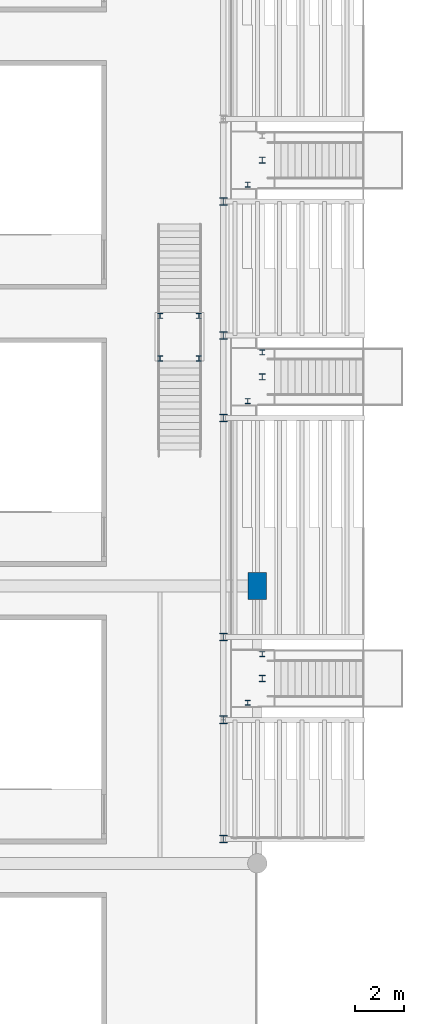
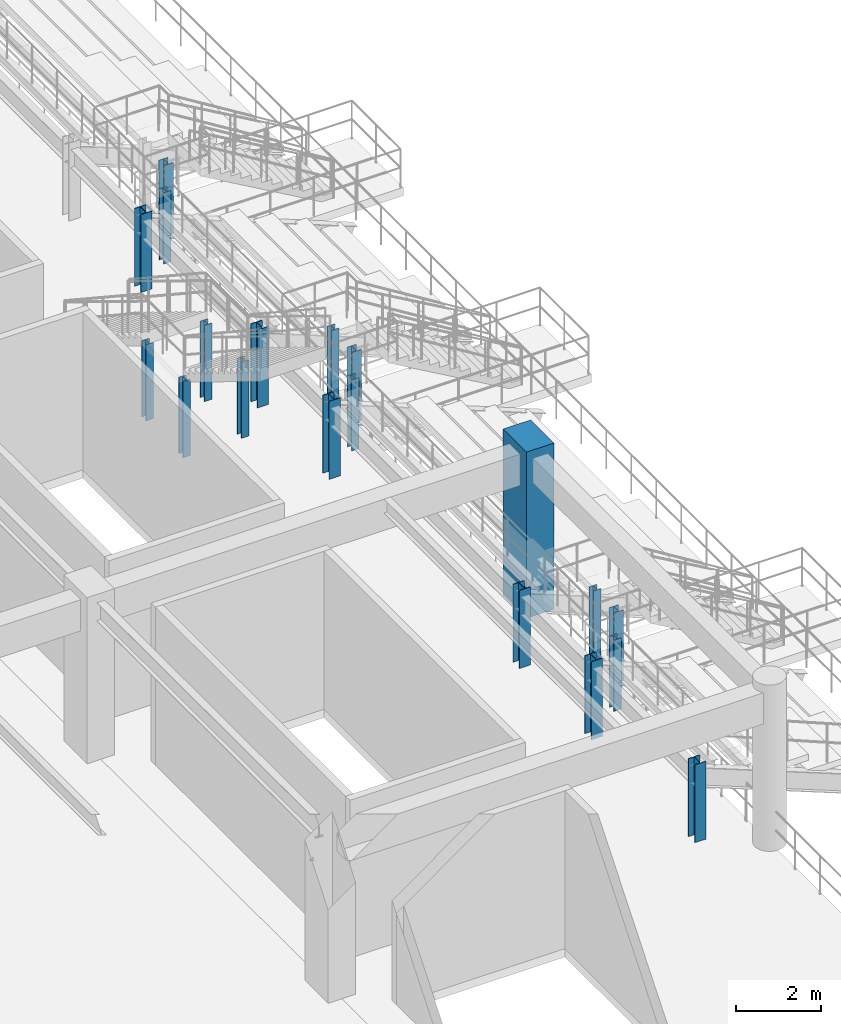
# One storey, part 12 of 106: 19 columns.
"""IFC4 building model written with IfcOpenShell, lengths in metres."""

from ifc_helpers import new_model, si_unit, direction, frame, origin, origin_2d, place, context, subcontext, project, spatial, rectangle, i_section, extrude, material, material_profile, profile_set, type_object, element, save


model = new_model("IFC4")

# Units and contexts
model_context = context("Model", 3, precision=1e-05, world=origin(), true_north=direction((0.0, 1.0)))
body_context = subcontext(model_context, "Body", "Model", "MODEL_VIEW")
ifc_project = project(units=[si_unit("LENGTHUNIT", "METRE"), si_unit("AREAUNIT", "SQUARE_METRE"), si_unit("VOLUMEUNIT", "CUBIC_METRE"), si_unit("PLANEANGLEUNIT", "RADIAN"), si_unit("MASSUNIT", "GRAM", prefix="KILO"), si_unit("POWERUNIT", "WATT"), si_unit("THERMODYNAMICTEMPERATUREUNIT", "KELVIN")], contexts=[model_context])

# Site, building, storey
site_placement = place(None, origin())
site = spatial("IfcSite", under=ifc_project, at=site_placement, CompositionType="ELEMENT")
building_placement = place(site_placement, origin())
building = spatial("IfcBuilding", under=site, at=building_placement, Name="Kelmbourne Parkland Aquatics Centre", CompositionType="ELEMENT")
storey_placement = place(building_placement, frame((0.0, 0.0, 5.39990234375)))
storey = spatial("IfcBuildingStorey", under=building, at=storey_placement, Name="L01", CompositionType="ELEMENT", Elevation=5.39990234375)

# Columns
ifc_material_1 = material(Name="Concrete C40/50", Category="concrete")
ifc_material_profile_1 = material_profile(ifc_material_1, rectangle(XDim=0.75, YDim=1.10009765625, at=origin_2d()), Name="RC 750x1100")
ifc_profile_set_1 = profile_set([ifc_material_profile_1], Name="Concrete C40/50")
column_type_1 = type_object("IfcColumnType", Name="COL-C03", PredefinedType="COLUMN", material=ifc_profile_set_1)
column_placement = place(storey_placement, frame((140.0, 46.39990234375, 0.0), z_axis=(0.0, 0.0, 1.0), x_axis=(1.0, 0.0, 0.0)))
element("IfcColumn", 1, at=column_placement, inside=storey, type_object=column_type_1, Name="Structural column Q-06 (L01)", PredefinedType="COLUMN", context=body_context, shape_type="SweptSolid", body=[
    extrude(rectangle(XDim=0.75, YDim=1.10009765625, at=origin_2d()), origin(), (0.0, 0.0, 1.0), 4.800048828125),
])
ifc_material_2 = material(Name="Structural steel AS/NZS 3679.1 Grade 300", Category="steel")
ifc_material_profile_2 = material_profile(ifc_material_2, i_section(OverallWidth=0.306884765625, OverallDepth=0.31494140625, WebThickness=0.011962890625, FlangeThickness=0.018798828125, at=origin_2d()), Name="310UC118")
ifc_profile_set_2 = profile_set([ifc_material_profile_2], Name="Structural steel AS/NZS 3679.1 Grade 300")
column_type_2 = type_object("IfcColumnType", Name="COL-C16", PredefinedType="COLUMN", material=ifc_profile_set_2)
for number, where, z_axis, x_axis, name in (
    (2, (138.60009765625, 36.0, 0.0), (0.0, 0.0, 1.0), (1.0, 0.0, 0.0), "Bowl RER L01 raker pier 1"),
    (3, (138.60009765625, 40.89990234375, 0.0), (0.0, 0.0, 1.0), (1.0, 0.0, 0.0), "Bowl RER L01 raker pier 2"),
    (4, (138.60009765625, 44.300048828125, 0.0), (0.0, 0.0, 1.0), (1.0, 0.0, 0.0), "Bowl RER L01 raker pier 3"),
    (5, (138.60009765625, 53.300048828125, 0.0), (0.0, 0.0, 1.0), (1.0, 0.0, 0.0), "Bowl RER L01 raker pier 4"),
    (6, (138.60009765625, 56.699951171875, 0.0), (0.0, 0.0, 1.0), (1.0, 0.0, 0.0), "Bowl RER L01 raker pier 5"),
    (7, (138.60009765625, 62.199951171875, 0.0), (0.0, 0.0, 1.0), (1.0, 0.0, 0.0), "Bowl RER L01 raker pier 6"),
):
    element("IfcColumn", number, at=place(storey_placement, frame(where, z_axis=z_axis, x_axis=x_axis)), inside=storey, type_object=column_type_2, Name=name, PredefinedType="COLUMN", context=body_context, shape_type="SweptSolid", body=[
        extrude(i_section(OverallWidth=0.306884765625, OverallDepth=0.31494140625, WebThickness=0.011962890625, FlangeThickness=0.018798828125, at=origin_2d()), origin(), (0.0, 0.0, 1.0), 2.25),
    ])
ifc_material_profile_3 = material_profile(ifc_material_2, i_section(OverallWidth=0.25390625, OverallDepth=0.25390625, WebThickness=0.008544921875, FlangeThickness=0.01416015625, at=origin_2d()), Name="250UC72.9")
ifc_profile_set_3 = profile_set([ifc_material_profile_3], Name="Structural steel AS/NZS 3679.1 Grade 300")
column_type_3 = type_object("IfcColumnType", Name="COL-C18", PredefinedType="COLUMN", material=ifc_profile_set_3)
for number, where, z_axis, x_axis, name in (
    (8, (140.199951171875, 42.60009765625, 0.0), (0.0, 0.0, 1.0), (1.0, 0.0, 0.0), "VM01 TOP1 L01 pier"),
    (9, (140.199951171875, 55.0, 0.0), (0.0, 0.0, 1.0), (1.0, 0.0, 0.0), "VM02 TOP1 L01 pier"),
    (10, (140.199951171875, 63.89990234375, 0.0), (0.0, 0.0, 1.0), (1.0, 0.0, 0.0), "VM03 TOP1 L01 pier"),
):
    element("IfcColumn", number, at=place(storey_placement, frame(where, z_axis=z_axis, x_axis=x_axis)), inside=storey, type_object=column_type_3, Name=name, PredefinedType="COLUMN", context=body_context, shape_type="SweptSolid", body=[
        extrude(i_section(OverallWidth=0.25390625, OverallDepth=0.25390625, WebThickness=0.008544921875, FlangeThickness=0.01416015625, at=origin_2d()), origin(), (0.0, 0.0, 1.0), 2.050048828125),
    ])
ifc_material_profile_4 = material_profile(ifc_material_2, i_section(OverallWidth=0.205078125, OverallDepth=0.2099609375, WebThickness=0.00927734375, FlangeThickness=0.01416015625, at=origin_2d()), Name="200UC59.5")
ifc_profile_set_4 = profile_set([ifc_material_profile_4], Name="Structural steel AS/NZS 3679.1 Grade 300")
column_type_4 = type_object("IfcColumnType", Name="COL-C19", PredefinedType="COLUMN", material=ifc_profile_set_4)
for number, where, z_axis, x_axis, name in (
    (11, (136.0, 55.75, 0.0), (0.0, 0.0, 1.0), (1.0, 0.0, 0.0), "FS02 landing post 1"),
    (12, (137.60009765625, 55.75, 0.0), (0.0, 0.0, 1.0), (1.0, 0.0, 0.0), "FS02 landing post 2"),
    (13, (136.0, 57.5, 0.0), (0.0, 0.0, 1.0), (1.0, 0.0, 0.0), "FS02 landing post 3"),
    (14, (137.60009765625, 57.5, 0.0), (0.0, 0.0, 1.0), (1.0, 0.0, 0.0), "FS02 landing post 4"),
):
    element("IfcColumn", number, at=place(storey_placement, frame(where, z_axis=z_axis, x_axis=x_axis)), inside=storey, type_object=column_type_4, Name=name, PredefinedType="COLUMN", context=body_context, shape_type="SweptSolid", body=[
        extrude(i_section(OverallWidth=0.205078125, OverallDepth=0.2099609375, WebThickness=0.00927734375, FlangeThickness=0.01416015625, at=origin_2d()), origin(), (0.0, 0.0, 1.0), 2.2001953125),
    ])
for number, where, z_axis, x_axis, name in (
    (15, (140.199951171875, 43.60009765625, 0.0), (0.0, 0.0, 1.0), (1.0, 0.0, 0.0), "VM01 TOP2 L01 pier"),
    (16, (139.60009765625, 41.60009765625, 0.0), (0.0, 0.0, 1.0), (1.0, 0.0, 0.0), "VM01 TOP3 L01 pier"),
    (17, (140.199951171875, 56.0, 0.0), (0.0, 0.0, 1.0), (1.0, 0.0, 0.0), "VM02 TOP2 L01 pier"),
    (18, (139.60009765625, 54.0, 0.0), (0.0, 0.0, 1.0), (1.0, 0.0, 0.0), "VM02 TOP3 L01 pier"),
    (19, (139.60009765625, 62.89990234375, 0.0), (0.0, 0.0, 1.0), (1.0, 0.0, 0.0), "VM03 TOP3 L01 pier"),
):
    element("IfcColumn", number, at=place(storey_placement, frame(where, z_axis=z_axis, x_axis=x_axis)), inside=storey, type_object=column_type_4, Name=name, PredefinedType="COLUMN", context=body_context, shape_type="SweptSolid", body=[
        extrude(i_section(OverallWidth=0.205078125, OverallDepth=0.2099609375, WebThickness=0.00927734375, FlangeThickness=0.01416015625, at=origin_2d()), origin(), (0.0, 0.0, 1.0), 2.050048828125),
    ])

save(model, "model.ifc")
